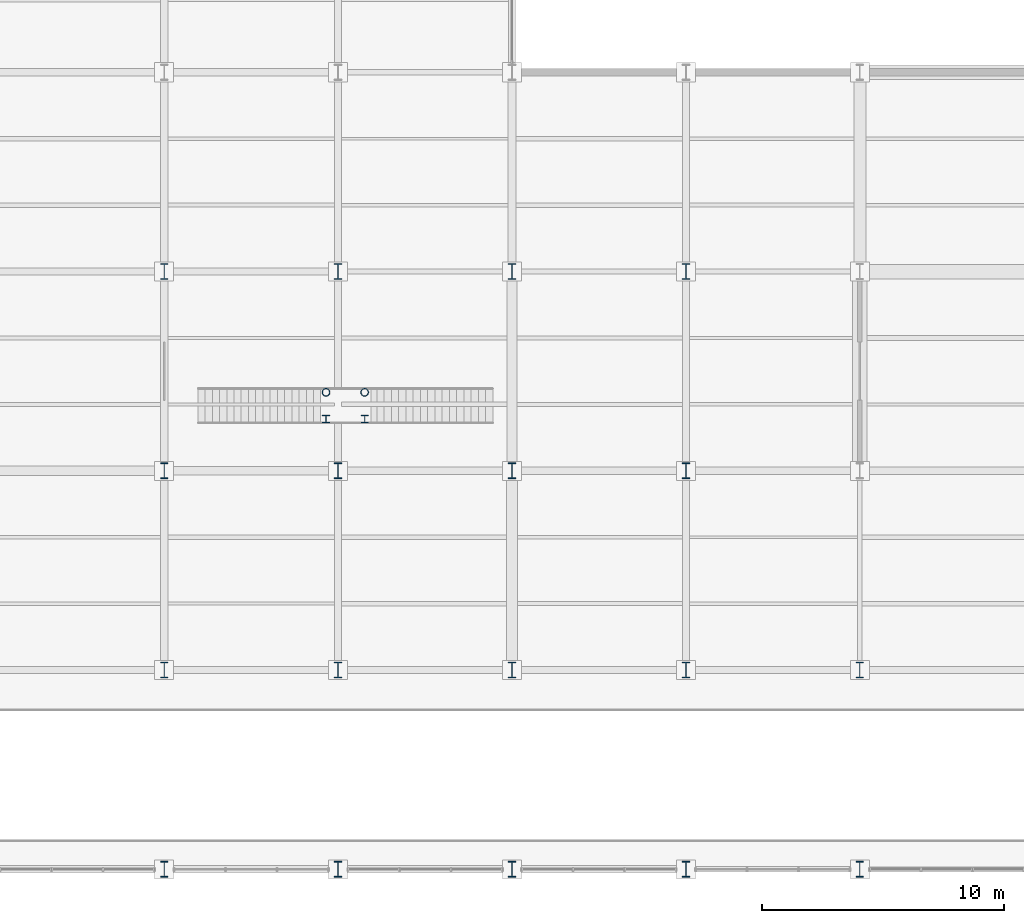
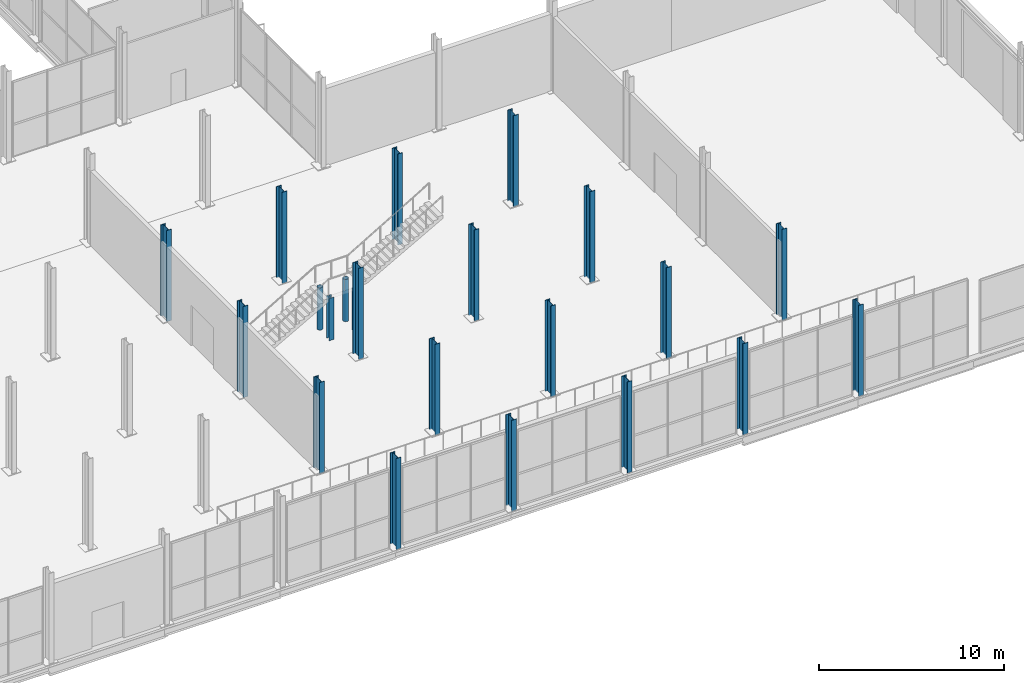
# One storey, part 11 of 144: 22 columns.
"""IFC4 building model written with IfcOpenShell, lengths in metres."""

import ifcopenshell
import ifcopenshell.guid

model = None  # the IFC model being written
_history = None  # IfcOwnerHistory: only IFC2X3 demands one
_inside = {}  # id of a spatial element -> (the spatial element, [elements in it])
_under = {}  # id of a project, library or spatial element -> (it, [spatial elements below it])
_declared = {}  # id of a project -> (the project, [libraries it declares])
_typed = {}  # id of a type object -> (the type object, [elements of that type])
_made_of = {}  # id of a material, layer set ... -> (it, [elements and type objects made of it])


def new_model(schema):
    """Start an empty IFC model of exactly this schema.

    Asked for "IFC4X3", IfcOpenShell would pick the latest addendum, in which some entities
    have other attributes; the version numbers below select the first issue.
    IFC2X3 requires an IfcOwnerHistory on every rooted entity: one is made here for all.
    """
    global model, _history
    if schema == "IFC4X3":
        model = ifcopenshell.file(schema_version=(4, 3, 0, 0))
    else:
        model = ifcopenshell.file(schema=schema)
    _inside.clear()
    _under.clear()
    _declared.clear()
    _typed.clear()
    _made_of.clear()
    _history = None
    if model.schema == "IFC2X3":
        org = make("IfcOrganization", Name="unknown")
        user = make(
            "IfcPersonAndOrganization",
            ThePerson=make("IfcPerson", FamilyName="unknown"),
            TheOrganization=org,
        )
        app = make(
            "IfcApplication",
            ApplicationDeveloper=org,
            Version="unknown",
            ApplicationFullName="unknown",
            ApplicationIdentifier="unknown",
        )
        _history = make(
            "IfcOwnerHistory",
            OwningUser=user,
            OwningApplication=app,
            ChangeAction="ADDED",
            CreationDate=0,
        )
    return model


def make(cls, **values):
    """One entity of the class cls with the attributes given. An attribute that is None is left unset."""
    return model.create_entity(
        cls, **{name: value for name, value in values.items() if value is not None}
    )


def rooted(cls, **values):
    """An entity with a GlobalId (a new one), such as an element, a storey or a relation."""
    return make(cls, GlobalId=ifcopenshell.guid.new(), OwnerHistory=_history, **values)


def si_unit(unit_type, name, prefix=None):
    """IfcSIUnit, for example si_unit("LENGTHUNIT", "METRE", prefix="MILLI")."""
    return make("IfcSIUnit", UnitType=unit_type, Prefix=prefix, Name=name)


def assignment(units):
    """IfcUnitAssignment: the units of a project."""
    return None if units is None else make("IfcUnitAssignment", Units=units)


def point(xyz):
    """IfcCartesianPoint."""
    return None if xyz is None else make("IfcCartesianPoint", Coordinates=xyz)


def direction(xyz):
    """IfcDirection."""
    return None if xyz is None else make("IfcDirection", DirectionRatios=xyz)


def frame(location, z_axis=None, x_axis=None):
    """IfcAxis2Placement3D, a coordinate frame: its origin and axes. An axis left out is left unset."""
    return make(
        "IfcAxis2Placement3D",
        Location=point(location),
        Axis=direction(z_axis),
        RefDirection=direction(x_axis),
    )


def frame_2d(location, x_axis=None):
    """IfcAxis2Placement2D, a coordinate frame in the plane: its origin and x axis."""
    return make(
        "IfcAxis2Placement2D", Location=point(location), RefDirection=direction(x_axis)
    )


def origin():
    """The frame at (0, 0, 0) with its axes left unset."""
    return frame((0.0, 0.0, 0.0))


def origin_2d():
    """The frame at (0, 0) in the plane with its x axis left unset."""
    return frame_2d((0.0, 0.0))


def place(relative_to, where):
    """IfcLocalPlacement: puts the frame where relative to a parent placement (None: the world)."""
    return make(
        "IfcLocalPlacement", PlacementRelTo=relative_to, RelativePlacement=where
    )


def context(
    kind, dimensions, precision=None, world=None, true_north=None, identifier=None
):
    """IfcGeometricRepresentationContext, for example the 3D "Model" context."""
    return make(
        "IfcGeometricRepresentationContext",
        ContextIdentifier=identifier,
        ContextType=kind,
        CoordinateSpaceDimension=dimensions,
        Precision=precision,
        WorldCoordinateSystem=world,
        TrueNorth=true_north,
    )


def subcontext(parent, identifier, kind, view, scale=None):
    """IfcGeometricRepresentationSubContext, for example "Body" below "Model"."""
    return make(
        "IfcGeometricRepresentationSubContext",
        ContextIdentifier=identifier,
        ContextType=kind,
        ParentContext=parent,
        TargetScale=scale,
        TargetView=view,
    )


def project(units=None, contexts=None):
    """IfcProject with its units and contexts."""
    return rooted(
        "IfcProject",
        Name="project",
        RepresentationContexts=contexts,
        UnitsInContext=assignment(units),
    )


def spatial(cls, under=None, at=None, **own):
    """A site, building, storey or space (cls), placed at a placement, below another one or the project."""
    s = rooted(cls, ObjectPlacement=at, **own)
    if under is not None:
        _under.setdefault(under.id(), (under, []))[1].append(s)
    return s


def profile(cls, at=None, kind="AREA", **sizes):
    """A parametric profile (cls). Its sizes go by their IFC names, for example OverallWidth=200.0."""
    return make(cls, ProfileType=kind, Position=at, **sizes)


def hollow_circle(**sizes):
    """IfcCircleHollowProfileDef."""
    return profile("IfcCircleHollowProfileDef", **sizes)


def i_section(**sizes):
    """IfcIShapeProfileDef."""
    return profile("IfcIShapeProfileDef", **sizes)


def extrude(swept, where, along, depth):
    """IfcExtrudedAreaSolid: the profile swept, set in the frame where, extruded along a direction by depth."""
    return make(
        "IfcExtrudedAreaSolid",
        SweptArea=swept,
        Position=where,
        ExtrudedDirection=direction(along),
        Depth=depth,
    )


def shape(context_of_items, identifier, shape_type, items):
    """IfcShapeRepresentation: the items that make up one representation, for example the "Body"."""
    return make(
        "IfcShapeRepresentation",
        ContextOfItems=context_of_items,
        RepresentationIdentifier=identifier,
        RepresentationType=shape_type,
        Items=items,
    )


def material(Name=None, Category=None):
    """IfcMaterial."""
    return make("IfcMaterial", Name=Name, Category=Category)


def material_profile(
    of_material, cross_section, Name=None, Category=None, Priority=None
):
    """IfcMaterialProfile: a cross section and its material."""
    return make(
        "IfcMaterialProfile",
        Name=Name,
        Material=of_material,
        Profile=cross_section,
        Priority=Priority,
        Category=Category,
    )


def profile_set(profiles, Name=None, composite=None):
    """IfcMaterialProfileSet."""
    return make(
        "IfcMaterialProfileSet",
        Name=Name,
        MaterialProfiles=profiles,
        CompositeProfile=composite,
    )


def made_of(thing, what):
    """Note that an element or type object is made of a material, layer set ...; save() writes the relation."""
    if what is not None:
        _made_of.setdefault(what.id(), (what, []))[1].append(thing)
    return thing


def type_object(cls, material=None, **own):
    """A type object (cls), such as IfcWallType, which elements share."""
    return made_of(rooted(cls, **own), material)


def element(
    cls,
    number,
    at=None,
    inside=None,
    cuts=None,
    type_object=None,
    material=None,
    context=None,
    identifier="Body",
    shape_type=None,
    held_by="IfcProductDefinitionShape",
    body=None,
    shapes=None,
    **own,
):
    """One element of the class cls, such as IfcWall. Its Tag is "e" and its number.

    at: its placement. inside: the storey or other place that contains it. cuts: it is an
    opening in that element (IfcRelVoidsElement). A single representation is given by context,
    identifier, shape_type and body (its items); several are given by shapes. held_by: the class
    of the entity that holds the representations. save() writes the other relations.
    """
    e = rooted(cls, Tag="e%d" % number, ObjectPlacement=at, **own)
    if body is not None:
        shapes = [shape(context, identifier, shape_type, body)]
    if shapes is not None:
        e.Representation = make(held_by, Representations=shapes)
    if inside is not None:
        _inside.setdefault(inside.id(), (inside, []))[1].append(e)
    if cuts is not None:
        rooted(
            "IfcRelVoidsElement", RelatingBuildingElement=cuts, RelatedOpeningElement=e
        )
    if type_object is not None:
        _typed.setdefault(type_object.id(), (type_object, []))[1].append(e)
    return made_of(e, material)


def aggregate(whole, parts):
    """IfcRelAggregates: a whole, such as a stair, and the parts it consists of."""
    return rooted("IfcRelAggregates", RelatingObject=whole, RelatedObjects=parts)


def save(model, path):
    """Write the relations noted so far, then the file.

    IfcRelAggregates (storeys below a building ...), IfcRelContainedInSpatialStructure (elements
    in a storey), IfcRelDefinesByType, IfcRelAssociatesMaterial and IfcRelDeclares: one each for
    every whole, place, type object, material and project.
    """
    for whole, parts in _under.values():
        aggregate(whole, parts)
    for where, things in _inside.values():
        rooted(
            "IfcRelContainedInSpatialStructure",
            RelatedElements=things,
            RelatingStructure=where,
        )
    for kind, things in _typed.values():
        rooted("IfcRelDefinesByType", RelatedObjects=things, RelatingType=kind)
    for what, things in _made_of.values():
        rooted("IfcRelAssociatesMaterial", RelatedObjects=things, RelatingMaterial=what)
    for by, libraries in _declared.values():
        rooted("IfcRelDeclares", RelatingContext=by, RelatedDefinitions=libraries)
    model.write(path)


model = new_model("IFC4")

# Units and contexts
model_context = context("Model", 3, precision=1e-05, world=origin(), true_north=direction((0.0, 1.0)))
body_context = subcontext(model_context, "Body", "Model", "MODEL_VIEW")
ifc_project = project(units=[si_unit("LENGTHUNIT", "METRE"), si_unit("AREAUNIT", "SQUARE_METRE"), si_unit("VOLUMEUNIT", "CUBIC_METRE"), si_unit("PLANEANGLEUNIT", "RADIAN"), si_unit("MASSUNIT", "GRAM", prefix="KILO")], contexts=[model_context])

# Site, building, storey
site_placement = place(None, origin())
site = spatial("IfcSite", under=ifc_project, at=site_placement, CompositionType="ELEMENT")
building_placement = place(site_placement, origin())
building = spatial("IfcBuilding", under=site, at=building_placement, Name="Sundgate Opera House", CompositionType="ELEMENT")
storey_placement = place(building_placement, origin())
storey = spatial("IfcBuildingStorey", under=building, at=storey_placement, Name="L00", CompositionType="ELEMENT", Elevation=0.0)

# Columns
ifc_material_1 = material(Name="Steel S355J2", Category="steel")
ifc_material_profile_1 = material_profile(ifc_material_1, hollow_circle(Radius=0.161865234375, WallThickness=0.01611328125, at=origin_2d()), Name="CHS 323.9x16.0")
ifc_profile_set_1 = profile_set([ifc_material_profile_1], Name="Steel S355J2")
column_type_1 = type_object("IfcColumnType", Name="CL-CHS-324", PredefinedType="COLUMN", material=ifc_profile_set_1)
for number, where, z_axis, x_axis, name in (
    (1, (138.10009765625, 19.75, 0.0), (0.0, 0.0, 1.0), (1.0, 0.0, 0.0), "Paint-Frame Scenic Gallery Straight Stair Landing Post C"),
    (2, (139.699951171875, 19.75, 0.0), (0.0, 0.0, 1.0), (1.0, 0.0, 0.0), "Paint-Frame Scenic Gallery Straight Stair Landing Post D"),
):
    element("IfcColumn", number, at=place(storey_placement, frame(where, z_axis=z_axis, x_axis=x_axis)), inside=storey, type_object=column_type_1, Name=name, PredefinedType="COLUMN", context=body_context, shape_type="SweptSolid", body=[
        extrude(hollow_circle(Radius=0.161865234375, WallThickness=0.01611328125, at=origin_2d()), origin(), (0.0, 0.0, 1.0), 2.780029296875),
    ])
ifc_material_2 = material(Name="Steel S355J2", Category="steel")
ifc_material_profile_2 = material_profile(ifc_material_2, i_section(OverallWidth=0.300048828125, OverallDepth=0.300048828125, WebThickness=0.010986328125, FlangeThickness=0.01904296875, at=origin_2d()), Name="HEB 300")
ifc_profile_set_2 = profile_set([ifc_material_profile_2], Name="Steel S355J2")
column_type_2 = type_object("IfcColumnType", Name="CL-STL-300", PredefinedType="COLUMN", material=ifc_profile_set_2)
for number, where, z_axis, x_axis, name in (
    (3, (138.10009765625, 18.64990234375, 0.0), (0.0, 0.0, 1.0), (1.0, 0.0, 0.0), "Paint-Frame Scenic Gallery Straight Stair Landing Post A"),
    (4, (139.699951171875, 18.64990234375, 0.0), (0.0, 0.0, 1.0), (1.0, 0.0, 0.0), "Paint-Frame Scenic Gallery Straight Stair Landing Post B"),
):
    element("IfcColumn", number, at=place(storey_placement, frame(where, z_axis=z_axis, x_axis=x_axis)), inside=storey, type_object=column_type_2, Name=name, PredefinedType="COLUMN", context=body_context, shape_type="SweptSolid", body=[
        extrude(i_section(OverallWidth=0.300048828125, OverallDepth=0.300048828125, WebThickness=0.010986328125, FlangeThickness=0.01904296875, at=origin_2d()), origin(), (0.0, 0.0, 1.0), 2.780029296875),
    ])
ifc_material_3 = material(Name="Steel S355J2", Category="steel")
ifc_material_profile_3 = material_profile(ifc_material_3, i_section(OverallWidth=0.300048828125, OverallDepth=0.64990234375, WebThickness=0.01611328125, FlangeThickness=0.031005859375, at=origin_2d()), Name="HEB 650")
ifc_profile_set_3 = profile_set([ifc_material_profile_3], Name="Steel S355J2")
column_type_3 = type_object("IfcColumnType", Name="CL-STL-650", PredefinedType="COLUMN", material=ifc_profile_set_3)
for number, where, z_axis, x_axis, name in (
    (5, (131.39990234375, 0.0, 0.0), (0.0, 0.0, 1.0), (1.0, 0.0, 0.0), "L00 Column C0946"),
    (6, (131.39990234375, 8.25, 0.0), (0.0, 0.0, 1.0), (1.0, 0.0, 0.0), "L00 Column C0948"),
    (7, (131.39990234375, 16.5, 0.0), (0.0, 0.0, 1.0), (1.0, 0.0, 0.0), "L00 Column C0952"),
    (8, (131.39990234375, 24.75, 0.0), (0.0, 0.0, 1.0), (1.0, 0.0, 0.0), "L00 Column C0956"),
    (9, (138.60009765625, 0.0, 0.0), (0.0, 0.0, 1.0), (1.0, 0.0, 0.0), "L00 Column C0996"),
    (10, (138.60009765625, 8.25, 0.0), (0.0, 0.0, 1.0), (1.0, 0.0, 0.0), "L00 Column C0998"),
    (11, (138.60009765625, 16.5, 0.0), (0.0, 0.0, 1.0), (1.0, 0.0, 0.0), "L00 Column C1002"),
    (12, (138.60009765625, 24.75, 0.0), (0.0, 0.0, 1.0), (1.0, 0.0, 0.0), "L00 Column C1006"),
    (13, (145.800048828125, 0.0, 0.0), (0.0, 0.0, 1.0), (1.0, 0.0, 0.0), "L00 Column C1050"),
    (14, (145.800048828125, 8.25, 0.0), (0.0, 0.0, 1.0), (1.0, 0.0, 0.0), "L00 Column C1052"),
    (15, (145.800048828125, 16.5, 0.0), (0.0, 0.0, 1.0), (1.0, 0.0, 0.0), "L00 Column C1056"),
    (16, (145.800048828125, 24.75, 0.0), (0.0, 0.0, 1.0), (1.0, 0.0, 0.0), "L00 Column C1060"),
    (17, (153.0, 0.0, 0.0), (0.0, 0.0, 1.0), (1.0, 0.0, 0.0), "L00 Column C1104"),
    (18, (153.0, 8.25, 0.0), (0.0, 0.0, 1.0), (1.0, 0.0, 0.0), "L00 Column C1107"),
    (19, (153.0, 16.5, 0.0), (0.0, 0.0, 1.0), (1.0, 0.0, 0.0), "L00 Column C1111"),
    (20, (153.0, 24.75, 0.0), (0.0, 0.0, 1.0), (1.0, 0.0, 0.0), "L00 Column C1115"),
    (21, (160.199951171875, 0.0, 0.0), (0.0, 0.0, 1.0), (1.0, 0.0, 0.0), "L00 Column C1150"),
    (22, (160.199951171875, 8.25, 0.0), (0.0, 0.0, 1.0), (1.0, 0.0, 0.0), "L00 Column C1153"),
):
    element("IfcColumn", number, at=place(storey_placement, frame(where, z_axis=z_axis, x_axis=x_axis)), inside=storey, type_object=column_type_3, Name=name, PredefinedType="COLUMN", context=body_context, shape_type="SweptSolid", body=[
        extrude(i_section(OverallWidth=0.300048828125, OverallDepth=0.64990234375, WebThickness=0.01611328125, FlangeThickness=0.031005859375, at=origin_2d()), origin(), (0.0, 0.0, 1.0), 6.0),
    ])

save(model, "model.ifc")
